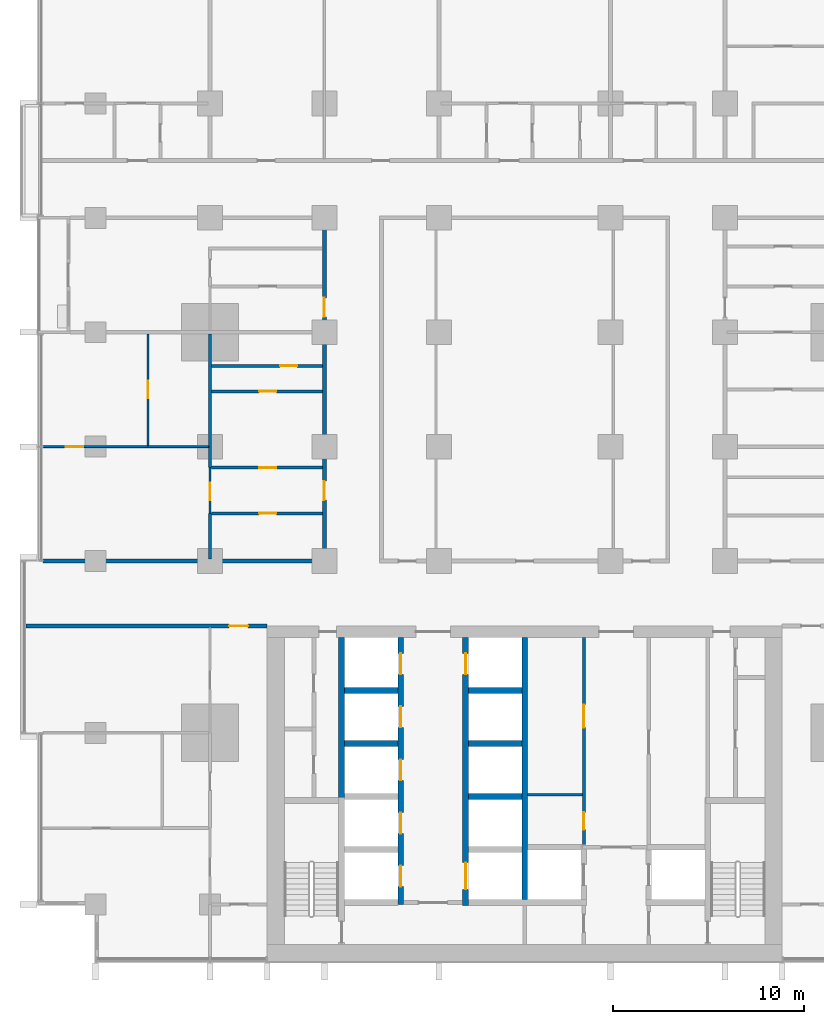
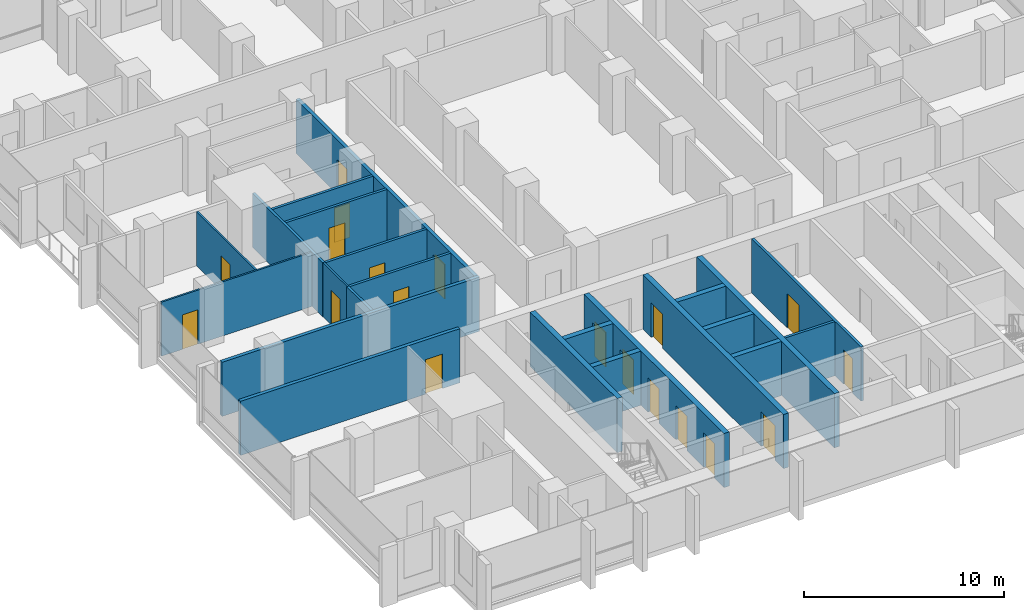
# One storey, part 8 of 18: 23 walls, 19 doors, 19 openings.
"""IFC4 building model written with IfcOpenShell, lengths in metres."""

from ifc_helpers import new_model, si_unit, direction, frame, frame_2d, origin, place, context, subcontext, project, spatial, rectangle, extrude, material, layer, layer_set, type_object, element, fill, save


model = new_model("IFC4")

# Units and contexts
model_context = context("Model", 3, precision=1e-05, world=origin(), true_north=direction((0.0, 1.0)))
body_context = subcontext(model_context, "Body", "Model", "MODEL_VIEW")
ifc_project = project(units=[si_unit("LENGTHUNIT", "METRE"), si_unit("AREAUNIT", "SQUARE_METRE"), si_unit("VOLUMEUNIT", "CUBIC_METRE"), si_unit("PLANEANGLEUNIT", "RADIAN"), si_unit("MASSUNIT", "GRAM", prefix="KILO")], contexts=[model_context])

# Site, building, storey
site_placement = place(None, origin())
site = spatial("IfcSite", under=ifc_project, at=site_placement, CompositionType="ELEMENT")
building_placement = place(site_placement, origin())
building = spatial("IfcBuilding", under=site, at=building_placement, Name="Finial Court Residences", CompositionType="ELEMENT")
storey_placement = place(building_placement, frame((0.0, 0.0, 39.699951171875)))
storey = spatial("IfcBuildingStorey", under=building, at=storey_placement, Name="L08", CompositionType="ELEMENT", Elevation=39.699951171875)

# Wall
ifc_material_1 = material(Name="Fire-rated gypsum board partition")
ifc_layer_1 = layer(ifc_material_1, 0.14990234375)
ifc_layer_set_1 = layer_set([ifc_layer_1], Name="Core room partition 150 EI 60")
wall_type_1 = type_object("IfcWallType", Name="Core room partition 150 EI 60", PredefinedType="PARTITIONING", material=ifc_layer_set_1)
wall_1_placement = place(storey_placement, frame((0.14990234375, -16.75, 0.0), z_axis=(0.0, 0.0, 1.0), x_axis=(1.0, 0.0, 0.0)))
element("IfcWall", 1, at=wall_1_placement, inside=storey, type_object=wall_type_1, Name="Core partition L08-14", PredefinedType="PARTITIONING", context=body_context, shape_type="SweptSolid", body=[
    extrude(rectangle(XDim=2.875, YDim=0.14990234375, at=frame_2d((1.4375, 0.0))), origin(), (0.0, 0.0, 1.0), 3.300048828125),
])

# Wall, openings, doors
wall_2_placement = place(storey_placement, frame((3.10009765625, -19.39990234375, 0.0), z_axis=(0.0, 0.0, 1.0), x_axis=(0.0, 1.0, 0.0)))
wall_2 = element("IfcWall", 2, at=wall_2_placement, inside=storey, type_object=wall_type_1, Name="Core partition L08-31", PredefinedType="PARTITIONING", context=body_context, shape_type="SweptSolid", body=[
    extrude(rectangle(XDim=10.89990234375, YDim=0.14990234375, at=frame_2d((5.449951171875, 0.0))), origin(), (0.0, 0.0, 1.0), 3.300048828125),
])
opening_1_placement = place(wall_2_placement, frame((0.824951171875, 0.0, 0.0)))
opening_1 = element("IfcOpeningElement", 3, at=opening_1_placement, cuts=wall_2, Name="Opening L08-C14", PredefinedType="OPENING", context=body_context, shape_type="SweptSolid", body=[
    extrude(rectangle(XDim=0.89990234375, YDim=2.10009765625, at=frame_2d((0.449951171875, 1.050048828125))), frame((0.0, 0.0849609375, 0.0), z_axis=(0.0, -1.0, 0.0), x_axis=(1.0, 0.0, 0.0)), (0.0, 0.0, 1.0), 0.169921875),
])
opening_2_placement = place(wall_2_placement, frame((6.175048828125, 0.0, 0.0)))
opening_2 = element("IfcOpeningElement", 4, at=opening_2_placement, cuts=wall_2, Name="Opening L08-C15", PredefinedType="OPENING", context=body_context, shape_type="SweptSolid", body=[
    extrude(rectangle(XDim=1.199951171875, YDim=2.10009765625, at=frame_2d((0.60009765625, 1.050048828125))), frame((0.0, 0.0849609375, 0.0), z_axis=(0.0, -1.0, 0.0), x_axis=(1.0, 0.0, 0.0)), (0.0, 0.0, 1.0), 0.169921875),
])
ifc_material_2 = material(Name="Steel fire door", Category="steel")
door_type_1 = type_object("IfcDoorType", Name="Core room door 1200 x 2100 EI 60", OperationType="NOTDEFINED", PredefinedType="DOOR", material=ifc_material_2)
door_1_placement = place(opening_2_placement, origin())
door_1 = element("IfcDoor", 5, at=door_1_placement, inside=storey, type_object=door_type_1, Name="Core room door L08-C15", OperationType="SINGLE_SWING_LEFT", OverallHeight=2.10009765625, OverallWidth=1.199951171875, PredefinedType="DOOR", context=body_context, shape_type="SweptSolid", body=[
    extrude(rectangle(XDim=1.199951171875, YDim=2.10009765625, at=frame_2d((0.60009765625, 1.050048828125))), frame((0.0, 0.02490234375, 0.0), z_axis=(0.0, -1.0, 0.0), x_axis=(1.0, 0.0, 0.0)), (0.0, 0.0, 1.0), 0.050048828125),
])
fill(opening_2, door_1)
door_type_2 = type_object("IfcDoorType", Name="Core room door 900 x 2100 EI 60", OperationType="NOTDEFINED", PredefinedType="DOOR", material=ifc_material_2)
door_2_placement = place(opening_1_placement, origin())
door_2 = element("IfcDoor", 6, at=door_2_placement, inside=storey, type_object=door_type_2, Name="Core room door L08-C14", OperationType="SINGLE_SWING_LEFT", OverallHeight=2.10009765625, OverallWidth=0.89990234375, PredefinedType="DOOR", context=body_context, shape_type="SweptSolid", body=[
    extrude(rectangle(XDim=0.89990234375, YDim=2.10009765625, at=frame_2d((0.449951171875, 1.050048828125))), frame((0.0, 0.02490234375, 0.0), z_axis=(0.0, -1.0, 0.0), x_axis=(1.0, 0.0, 0.0)), (0.0, 0.0, 1.0), 0.050048828125),
])
fill(opening_1, door_2)

# Wall, opening, door
ifc_material_3 = material(Name="Gypsum board")
ifc_layer_2 = layer(ifc_material_3, 0.02490234375)
ifc_material_4 = material(Name="Acoustic mineral wool in double frame")
ifc_layer_3 = layer(ifc_material_4, 0.14990234375)
ifc_layer_4 = layer(ifc_material_3, 0.02490234375)
ifc_layer_set_2 = layer_set([ifc_layer_2, ifc_layer_3, ifc_layer_4], Name="Corridor wall 200, 1 hour")
wall_type_2 = type_object("IfcWallType", Name="Corridor wall 200, 1 hour", PredefinedType="PARTITIONING", material=ifc_layer_set_2)
wall_3_placement = place(storey_placement, frame((-26.14990234375, -7.89990234375, 0.0), z_axis=(0.0, 0.0, 1.0), x_axis=(1.0, 0.0, 0.0)))
wall_3 = element("IfcWall", 7, at=wall_3_placement, inside=storey, type_object=wall_type_2, Name="Partition L08-009", PredefinedType="PARTITIONING", context=body_context, shape_type="SweptSolid", body=[
    extrude(rectangle(XDim=12.64990234375, YDim=0.199951171875, at=frame_2d((6.324951171875, 0.0))), origin(), (0.0, 0.0, 1.0), 3.300048828125),
])
opening_3_placement = place(wall_3_placement, frame((10.64990234375, 0.0, 0.0)))
opening_3 = element("IfcOpeningElement", 8, at=opening_3_placement, cuts=wall_3, Name="Opening L08-D005", PredefinedType="OPENING", context=body_context, shape_type="SweptSolid", body=[
    extrude(rectangle(XDim=1.0, YDim=2.10009765625, at=frame_2d((0.5, 1.050048828125))), frame((0.0, 0.10986328125, 0.0), z_axis=(0.0, -1.0, 0.0), x_axis=(1.0, 0.0, 0.0)), (0.0, 0.0, 1.0), 0.219970703125),
])
ifc_material_5 = material(Name="Timber door leaf in hollow metal frame", Category="wood")
door_type_3 = type_object("IfcDoorType", Name="Fire door set 1000 x 2100, 30 minutes", OperationType="SINGLE_SWING_LEFT", PredefinedType="DOOR", material=ifc_material_5)
door_3_placement = place(opening_3_placement, origin())
door_3 = element("IfcDoor", 9, at=door_3_placement, inside=storey, type_object=door_type_3, Name="Door L08-D005", OperationType="SINGLE_SWING_RIGHT", OverallHeight=2.10009765625, OverallWidth=1.0, PredefinedType="DOOR", context=body_context, shape_type="SweptSolid", body=[
    extrude(rectangle(XDim=1.0, YDim=2.10009765625, at=frame_2d((0.5, 1.050048828125))), frame((0.0, 0.02490234375, 0.0), z_axis=(0.0, -1.0, 0.0), x_axis=(1.0, 0.0, 0.0)), (0.0, 0.0, 1.0), 0.050048828125),
])
fill(opening_3, door_3)

# Wall
wall_4_placement = place(storey_placement, frame((-25.25, -4.5, 0.0), z_axis=(0.0, 0.0, 1.0), x_axis=(1.0, 0.0, 0.0)))
element("IfcWall", 10, at=wall_4_placement, inside=storey, type_object=wall_type_2, Name="Partition L08-011", PredefinedType="PARTITIONING", context=body_context, shape_type="SweptSolid", body=[
    extrude(rectangle(XDim=14.85009765625, YDim=0.199951171875, at=frame_2d((7.425048828125, 0.0))), origin(), (0.0, 0.0, 1.0), 3.300048828125),
])

# Wall, openings, doors
wall_5_placement = place(storey_placement, frame((-10.5, -4.39990234375, 0.0), z_axis=(0.0, 0.0, 1.0), x_axis=(0.0, 1.0, 0.0)))
wall_5 = element("IfcWall", 11, at=wall_5_placement, inside=storey, type_object=wall_type_2, Name="Partition L08-061", PredefinedType="PARTITIONING", context=body_context, shape_type="SweptSolid", body=[
    extrude(rectangle(XDim=17.7998046875, YDim=0.199951171875, at=frame_2d((8.89990234375, 0.0))), origin(), (0.0, 0.0, 1.0), 3.300048828125),
])
opening_4_placement = place(wall_5_placement, frame((3.10009765625, 0.0, 0.0)))
opening_4 = element("IfcOpeningElement", 12, at=opening_4_placement, cuts=wall_5, Name="Opening L08-D042", PredefinedType="OPENING", context=body_context, shape_type="SweptSolid", body=[
    extrude(rectangle(XDim=1.0, YDim=2.10009765625, at=frame_2d((0.5, 1.050048828125))), frame((0.0, 0.10986328125, 0.0), z_axis=(0.0, -1.0, 0.0), x_axis=(1.0, 0.0, 0.0)), (0.0, 0.0, 1.0), 0.219970703125),
])
opening_5_placement = place(wall_5_placement, frame((12.699951171875, 0.0, 0.0)))
opening_5 = element("IfcOpeningElement", 13, at=opening_5_placement, cuts=wall_5, Name="Opening L08-D043", PredefinedType="OPENING", context=body_context, shape_type="SweptSolid", body=[
    extrude(rectangle(XDim=1.0, YDim=2.10009765625, at=frame_2d((0.5, 1.050048828125))), frame((0.0, 0.10986328125, 0.0), z_axis=(0.0, -1.0, 0.0), x_axis=(1.0, 0.0, 0.0)), (0.0, 0.0, 1.0), 0.219970703125),
])
door_4_placement = place(opening_4_placement, origin())
door_4 = element("IfcDoor", 14, at=door_4_placement, inside=storey, type_object=door_type_3, Name="Door L08-D042", OperationType="SINGLE_SWING_RIGHT", OverallHeight=2.10009765625, OverallWidth=1.0, PredefinedType="DOOR", context=body_context, shape_type="SweptSolid", body=[
    extrude(rectangle(XDim=1.0, YDim=2.10009765625, at=frame_2d((0.5, 1.050048828125))), frame((0.0, 0.02490234375, 0.0), z_axis=(0.0, -1.0, 0.0), x_axis=(1.0, 0.0, 0.0)), (0.0, 0.0, 1.0), 0.050048828125),
])
fill(opening_4, door_4)
door_5_placement = place(opening_5_placement, origin())
door_5 = element("IfcDoor", 15, at=door_5_placement, inside=storey, type_object=door_type_3, Name="Door L08-D043", OperationType="SINGLE_SWING_LEFT", OverallHeight=2.10009765625, OverallWidth=1.0, PredefinedType="DOOR", context=body_context, shape_type="SweptSolid", body=[
    extrude(rectangle(XDim=1.0, YDim=2.10009765625, at=frame_2d((0.5, 1.050048828125))), frame((0.0, 0.02490234375, 0.0), z_axis=(0.0, -1.0, 0.0), x_axis=(1.0, 0.0, 0.0)), (0.0, 0.0, 1.0), 0.050048828125),
])
fill(opening_5, door_5)

# Wall, opening, door
ifc_layer_5 = layer(ifc_material_3, 0.012451171875)
ifc_material_6 = material(Name="Mineral wool in light-gauge frame")
ifc_layer_6 = layer(ifc_material_6, 0.074951171875)
ifc_layer_7 = layer(ifc_material_3, 0.012451171875)
ifc_layer_set_3 = layer_set([ifc_layer_5, ifc_layer_6, ifc_layer_7], Name="Gypsum board partition 100")
wall_type_3 = type_object("IfcWallType", Name="Gypsum board partition 100", PredefinedType="PARTITIONING", material=ifc_layer_set_3)
wall_6_placement = place(storey_placement, frame((-25.25, 1.5, 0.0), z_axis=(0.0, 0.0, 1.0), x_axis=(1.0, 0.0, 0.0)))
wall_6 = element("IfcWall", 16, at=wall_6_placement, inside=storey, type_object=wall_type_3, Name="Partition L08-018", PredefinedType="PARTITIONING", context=body_context, shape_type="SweptSolid", body=[
    extrude(rectangle(XDim=8.675048828125, YDim=0.10009765625, at=frame_2d((4.33740234375, 0.0))), origin(), (0.0, 0.0, 1.0), 3.300048828125),
])
opening_6_placement = place(wall_6_placement, frame((1.199951171875, 0.0, 0.0)))
opening_6 = element("IfcOpeningElement", 17, at=opening_6_placement, cuts=wall_6, Name="Opening L08-D013", PredefinedType="OPENING", context=body_context, shape_type="SweptSolid", body=[
    extrude(rectangle(XDim=0.89990234375, YDim=2.10009765625, at=frame_2d((0.449951171875, 1.050048828125))), frame((0.0, 0.06005859375, 0.0), z_axis=(0.0, -1.0, 0.0), x_axis=(1.0, 0.0, 0.0)), (0.0, 0.0, 1.0), 0.1201171875),
])
ifc_material_7 = material(Name="Timber door leaf in timber frame", Category="wood")
door_type_4 = type_object("IfcDoorType", Name="Door set 900 x 2100", OperationType="SINGLE_SWING_LEFT", PredefinedType="DOOR", material=ifc_material_7)
door_6_placement = place(opening_6_placement, origin())
door_6 = element("IfcDoor", 18, at=door_6_placement, inside=storey, type_object=door_type_4, Name="Door L08-D013", OperationType="SINGLE_SWING_RIGHT", OverallHeight=2.10009765625, OverallWidth=0.89990234375, PredefinedType="DOOR", context=body_context, shape_type="SweptSolid", body=[
    extrude(rectangle(XDim=0.89990234375, YDim=2.10009765625, at=frame_2d((0.449951171875, 1.050048828125))), frame((0.0, 0.02490234375, 0.0), z_axis=(0.0, -1.0, 0.0), x_axis=(1.0, 0.0, 0.0)), (0.0, 0.0, 1.0), 0.050048828125),
])
fill(opening_6, door_6)

wall_7_placement = place(storey_placement, frame((-19.75, 1.550048828125, 0.0), z_axis=(0.0, 0.0, 1.0), x_axis=(0.0, 1.0, 0.0)))
wall_7 = element("IfcWall", 19, at=wall_7_placement, inside=storey, type_object=wall_type_3, Name="Partition L08-048", PredefinedType="PARTITIONING", context=body_context, shape_type="SweptSolid", body=[
    extrude(rectangle(XDim=5.849853515625, YDim=0.10009765625, at=frame_2d((2.9248046875, 0.0))), origin(), (0.0, 0.0, 1.0), 3.300048828125),
])
opening_7_placement = place(wall_7_placement, frame((2.5, 0.0, 0.0)))
opening_7 = element("IfcOpeningElement", 20, at=opening_7_placement, cuts=wall_7, Name="Opening L08-D035", PredefinedType="OPENING", context=body_context, shape_type="SweptSolid", body=[
    extrude(rectangle(XDim=0.89990234375, YDim=2.10009765625, at=frame_2d((0.449951171875, 1.050048828125))), frame((0.0, 0.06005859375, 0.0), z_axis=(0.0, -1.0, 0.0), x_axis=(1.0, 0.0, 0.0)), (0.0, 0.0, 1.0), 0.1201171875),
])
door_7_placement = place(opening_7_placement, origin())
door_7 = element("IfcDoor", 21, at=door_7_placement, inside=storey, type_object=door_type_4, Name="Door L08-D035", OperationType="SINGLE_SWING_LEFT", OverallHeight=2.10009765625, OverallWidth=0.89990234375, PredefinedType="DOOR", context=body_context, shape_type="SweptSolid", body=[
    extrude(rectangle(XDim=0.89990234375, YDim=2.10009765625, at=frame_2d((0.449951171875, 1.050048828125))), frame((0.0, 0.02490234375, 0.0), z_axis=(0.0, -1.0, 0.0), x_axis=(1.0, 0.0, 0.0)), (0.0, 0.0, 1.0), 0.050048828125),
])
fill(opening_7, door_7)

wall_8_placement = place(storey_placement, frame((-16.5, -2.0, 0.0), z_axis=(0.0, 0.0, 1.0), x_axis=(0.0, 1.0, 0.0)))
wall_8 = element("IfcWall", 22, at=wall_8_placement, inside=storey, type_object=wall_type_3, Name="Partition L08-054", PredefinedType="PARTITIONING", context=body_context, shape_type="SweptSolid", body=[
    extrude(rectangle(XDim=2.39990234375, YDim=0.10009765625, at=frame_2d((1.199951171875, 0.0))), origin(), (0.0, 0.0, 1.0), 3.300048828125),
])
opening_8_placement = place(wall_8_placement, frame((0.699951171875, 0.0, 0.0)))
opening_8 = element("IfcOpeningElement", 23, at=opening_8_placement, cuts=wall_8, Name="Opening L08-D039", PredefinedType="OPENING", context=body_context, shape_type="SweptSolid", body=[
    extrude(rectangle(XDim=0.89990234375, YDim=2.10009765625, at=frame_2d((0.449951171875, 1.050048828125))), frame((0.0, 0.06005859375, 0.0), z_axis=(0.0, -1.0, 0.0), x_axis=(1.0, 0.0, 0.0)), (0.0, 0.0, 1.0), 0.1201171875),
])
door_8_placement = place(opening_8_placement, origin())
door_8 = element("IfcDoor", 24, at=door_8_placement, inside=storey, type_object=door_type_4, Name="Door L08-D039", OperationType="SINGLE_SWING_LEFT", OverallHeight=2.10009765625, OverallWidth=0.89990234375, PredefinedType="DOOR", context=body_context, shape_type="SweptSolid", body=[
    extrude(rectangle(XDim=0.89990234375, YDim=2.10009765625, at=frame_2d((0.449951171875, 1.050048828125))), frame((0.0, 0.02490234375, 0.0), z_axis=(0.0, -1.0, 0.0), x_axis=(1.0, 0.0, 0.0)), (0.0, 0.0, 1.0), 0.050048828125),
])
fill(opening_8, door_8)

ifc_material_8 = material(Name="Moisture-resistant gypsum board")
ifc_layer_8 = layer(ifc_material_8, 0.012451171875)
ifc_layer_9 = layer(ifc_material_6, 0.125)
ifc_layer_10 = layer(ifc_material_8, 0.012451171875)
ifc_layer_set_4 = layer_set([ifc_layer_8, ifc_layer_9, ifc_layer_10], Name="Gypsum board wet-area partition 150")
wall_type_4 = type_object("IfcWallType", Name="Gypsum board wet-area partition 150", PredefinedType="PARTITIONING", material=ifc_layer_set_4)
wall_9_placement = place(storey_placement, frame((-16.425048828125, -2.0, 0.0), z_axis=(0.0, 0.0, 1.0), x_axis=(1.0, 0.0, 0.0)))
wall_9 = element("IfcWall", 25, at=wall_9_placement, inside=storey, type_object=wall_type_4, Name="Partition L08-015", PredefinedType="PARTITIONING", context=body_context, shape_type="SweptSolid", body=[
    extrude(rectangle(XDim=5.824951171875, YDim=0.14990234375, at=frame_2d((2.91259765625, 0.0))), origin(), (0.0, 0.0, 1.0), 3.300048828125),
])
opening_9_placement = place(wall_9_placement, frame((2.5, 0.0, 0.0)))
opening_9 = element("IfcOpeningElement", 26, at=opening_9_placement, cuts=wall_9, Name="Opening L08-D011", PredefinedType="OPENING", context=body_context, shape_type="SweptSolid", body=[
    extrude(rectangle(XDim=0.89990234375, YDim=2.10009765625, at=frame_2d((0.449951171875, 1.050048828125))), frame((0.0, 0.0849609375, 0.0), z_axis=(0.0, -1.0, 0.0), x_axis=(1.0, 0.0, 0.0)), (0.0, 0.0, 1.0), 0.169921875),
])
door_9_placement = place(opening_9_placement, origin())
door_9 = element("IfcDoor", 27, at=door_9_placement, inside=storey, type_object=door_type_4, Name="Door L08-D011", OperationType="SINGLE_SWING_RIGHT", OverallHeight=2.10009765625, OverallWidth=0.89990234375, PredefinedType="DOOR", context=body_context, shape_type="SweptSolid", body=[
    extrude(rectangle(XDim=0.89990234375, YDim=2.10009765625, at=frame_2d((0.449951171875, 1.050048828125))), frame((0.0, 0.02490234375, 0.0), z_axis=(0.0, -1.0, 0.0), x_axis=(1.0, 0.0, 0.0)), (0.0, 0.0, 1.0), 0.050048828125),
])
fill(opening_9, door_9)

wall_10_placement = place(storey_placement, frame((-16.425048828125, 0.39990234375, 0.0), z_axis=(0.0, 0.0, 1.0), x_axis=(1.0, 0.0, 0.0)))
wall_10 = element("IfcWall", 28, at=wall_10_placement, inside=storey, type_object=wall_type_4, Name="Partition L08-017", PredefinedType="PARTITIONING", context=body_context, shape_type="SweptSolid", body=[
    extrude(rectangle(XDim=5.824951171875, YDim=0.14990234375, at=frame_2d((2.91259765625, 0.0))), origin(), (0.0, 0.0, 1.0), 3.300048828125),
])
opening_10_placement = place(wall_10_placement, frame((2.5, 0.0, 0.0)))
opening_10 = element("IfcOpeningElement", 29, at=opening_10_placement, cuts=wall_10, Name="Opening L08-D012", PredefinedType="OPENING", context=body_context, shape_type="SweptSolid", body=[
    extrude(rectangle(XDim=0.89990234375, YDim=2.10009765625, at=frame_2d((0.449951171875, 1.050048828125))), frame((0.0, 0.0849609375, 0.0), z_axis=(0.0, -1.0, 0.0), x_axis=(1.0, 0.0, 0.0)), (0.0, 0.0, 1.0), 0.169921875),
])
door_10_placement = place(opening_10_placement, origin())
door_10 = element("IfcDoor", 30, at=door_10_placement, inside=storey, type_object=door_type_4, Name="Door L08-D012", OperationType="SINGLE_SWING_LEFT", OverallHeight=2.10009765625, OverallWidth=0.89990234375, PredefinedType="DOOR", context=body_context, shape_type="SweptSolid", body=[
    extrude(rectangle(XDim=0.89990234375, YDim=2.10009765625, at=frame_2d((0.449951171875, 1.050048828125))), frame((0.0, 0.02490234375, 0.0), z_axis=(0.0, -1.0, 0.0), x_axis=(1.0, 0.0, 0.0)), (0.0, 0.0, 1.0), 0.050048828125),
])
fill(opening_10, door_10)

wall_11_placement = place(storey_placement, frame((-16.425048828125, 4.39990234375, 0.0), z_axis=(0.0, 0.0, 1.0), x_axis=(1.0, 0.0, 0.0)))
wall_11 = element("IfcWall", 31, at=wall_11_placement, inside=storey, type_object=wall_type_4, Name="Partition L08-020", PredefinedType="PARTITIONING", context=body_context, shape_type="SweptSolid", body=[
    extrude(rectangle(XDim=5.824951171875, YDim=0.14990234375, at=frame_2d((2.91259765625, 0.0))), origin(), (0.0, 0.0, 1.0), 3.300048828125),
])
opening_11_placement = place(wall_11_placement, frame((2.5, 0.0, 0.0)))
opening_11 = element("IfcOpeningElement", 32, at=opening_11_placement, cuts=wall_11, Name="Opening L08-D014", PredefinedType="OPENING", context=body_context, shape_type="SweptSolid", body=[
    extrude(rectangle(XDim=0.89990234375, YDim=2.10009765625, at=frame_2d((0.449951171875, 1.050048828125))), frame((0.0, 0.0849609375, 0.0), z_axis=(0.0, -1.0, 0.0), x_axis=(1.0, 0.0, 0.0)), (0.0, 0.0, 1.0), 0.169921875),
])
door_11_placement = place(opening_11_placement, origin())
door_11 = element("IfcDoor", 33, at=door_11_placement, inside=storey, type_object=door_type_4, Name="Door L08-D014", OperationType="SINGLE_SWING_RIGHT", OverallHeight=2.10009765625, OverallWidth=0.89990234375, PredefinedType="DOOR", context=body_context, shape_type="SweptSolid", body=[
    extrude(rectangle(XDim=0.89990234375, YDim=2.10009765625, at=frame_2d((0.449951171875, 1.050048828125))), frame((0.0, 0.02490234375, 0.0), z_axis=(0.0, -1.0, 0.0), x_axis=(1.0, 0.0, 0.0)), (0.0, 0.0, 1.0), 0.050048828125),
])
fill(opening_11, door_11)

wall_12_placement = place(storey_placement, frame((-16.425048828125, 5.73291015625, 0.0), z_axis=(0.0, 0.0, 1.0), x_axis=(1.0, 0.0, 0.0)))
wall_12 = element("IfcWall", 34, at=wall_12_placement, inside=storey, type_object=wall_type_4, Name="Partition L08-023", PredefinedType="PARTITIONING", context=body_context, shape_type="SweptSolid", body=[
    extrude(rectangle(XDim=5.824951171875, YDim=0.14990234375, at=frame_2d((2.91259765625, 0.0))), origin(), (0.0, 0.0, 1.0), 3.300048828125),
])
opening_12_placement = place(wall_12_placement, frame((3.60009765625, 0.0, 0.0)))
opening_12 = element("IfcOpeningElement", 35, at=opening_12_placement, cuts=wall_12, Name="Opening L08-D016", PredefinedType="OPENING", context=body_context, shape_type="SweptSolid", body=[
    extrude(rectangle(XDim=0.89990234375, YDim=2.10009765625, at=frame_2d((0.449951171875, 1.050048828125))), frame((0.0, 0.0849609375, 0.0), z_axis=(0.0, -1.0, 0.0), x_axis=(1.0, 0.0, 0.0)), (0.0, 0.0, 1.0), 0.169921875),
])
door_12_placement = place(opening_12_placement, origin())
door_12 = element("IfcDoor", 36, at=door_12_placement, inside=storey, type_object=door_type_4, Name="Door L08-D016", OperationType="SINGLE_SWING_LEFT", OverallHeight=2.10009765625, OverallWidth=0.89990234375, PredefinedType="DOOR", context=body_context, shape_type="SweptSolid", body=[
    extrude(rectangle(XDim=0.89990234375, YDim=2.10009765625, at=frame_2d((0.449951171875, 1.050048828125))), frame((0.0, 0.02490234375, 0.0), z_axis=(0.0, -1.0, 0.0), x_axis=(1.0, 0.0, 0.0)), (0.0, 0.0, 1.0), 0.050048828125),
])
fill(opening_12, door_12)

# Walls
wall_13_placement = place(storey_placement, frame((-16.5, -4.39990234375, 0.0), z_axis=(0.0, 0.0, 1.0), x_axis=(0.0, 1.0, 0.0)))
element("IfcWall", 37, at=wall_13_placement, inside=storey, type_object=wall_type_4, Name="Partition L08-058", PredefinedType="PARTITIONING", context=body_context, shape_type="SweptSolid", body=[
    extrude(rectangle(XDim=2.39990234375, YDim=0.14990234375, at=frame_2d((1.199951171875, 0.0))), origin(), (0.0, 0.0, 1.0), 3.300048828125),
])
wall_14_placement = place(storey_placement, frame((-16.5, 0.39990234375, 0.0), z_axis=(0.0, 0.0, 1.0), x_axis=(0.0, 1.0, 0.0)))
element("IfcWall", 38, at=wall_14_placement, inside=storey, type_object=wall_type_4, Name="Partition L08-059", PredefinedType="PARTITIONING", context=body_context, shape_type="SweptSolid", body=[
    extrude(rectangle(XDim=7.0, YDim=0.14990234375, at=frame_2d((3.5, 0.0))), origin(), (0.0, 0.0, 1.0), 3.300048828125),
])
ifc_material_9 = material(Name="Concrete C80/95", Category="concrete")
ifc_layer_11 = layer(ifc_material_9, 0.300048828125)
ifc_layer_set_5 = layer_set([ifc_layer_11], Name="Lift shaft and stair wall 300 Concrete C80/95")
wall_type_5 = type_object("IfcWallType", Name="Lift shaft and stair wall 300 Concrete C80/95", PredefinedType="SHEAR", material=ifc_layer_set_5)
for number, where, z_axis, x_axis, name in (
    (39, (-2.949951171875, -16.840087890625, 0.0), (0.0, 0.0, 1.0), (1.0, 0.0, 0.0), "Core wall L08-13"),
    (40, (-9.449951171875, -14.06005859375, 0.0), (0.0, 0.0, 1.0), (1.0, 0.0, 0.0), "Core wall L08-15"),
    (41, (-2.949951171875, -14.06005859375, 0.0), (0.0, 0.0, 1.0), (1.0, 0.0, 0.0), "Core wall L08-16"),
    (42, (-9.449951171875, -11.280029296875, 0.0), (0.0, 0.0, 1.0), (1.0, 0.0, 0.0), "Core wall L08-18"),
    (43, (-2.949951171875, -11.280029296875, 0.0), (0.0, 0.0, 1.0), (1.0, 0.0, 0.0), "Core wall L08-19"),
):
    element("IfcWall", number, at=place(storey_placement, frame(where, z_axis=z_axis, x_axis=x_axis)), inside=storey, type_object=wall_type_5, Name=name, PredefinedType="SHEAR", context=body_context, shape_type="SweptSolid", body=[
        extrude(rectangle(XDim=2.800048828125, YDim=0.300048828125, at=frame_2d((1.39990234375, 0.0))), origin(), (0.0, 0.0, 1.0), 3.300048828125),
    ])
wall_15_placement = place(storey_placement, frame((-9.60009765625, -17.199951171875, 0.0), z_axis=(0.0, 0.0, 1.0), x_axis=(0.0, 1.0, 0.0)))
element("IfcWall", 44, at=wall_15_placement, inside=storey, type_object=wall_type_5, Name="Core wall L08-24", PredefinedType="SHEAR", context=body_context, shape_type="SweptSolid", body=[
    extrude(rectangle(XDim=8.699951171875, YDim=0.300048828125, at=frame_2d((4.35009765625, 0.0))), origin(), (0.0, 0.0, 1.0), 3.300048828125),
])

# Wall, openings, doors
wall_16_placement = place(storey_placement, frame((-6.5, -22.5, 0.0), z_axis=(0.0, 0.0, 1.0), x_axis=(0.0, 1.0, 0.0)))
wall_16 = element("IfcWall", 45, at=wall_16_placement, inside=storey, type_object=wall_type_5, Name="Core wall L08-25", PredefinedType="SHEAR", context=body_context, shape_type="SweptSolid", body=[
    extrude(rectangle(XDim=14.0, YDim=0.300048828125, at=frame_2d((7.0, 0.0))), origin(), (0.0, 0.0, 1.0), 3.300048828125),
])
opening_13_placement = place(wall_16_placement, frame((0.93994140625, 0.0, 0.0)))
opening_13 = element("IfcOpeningElement", 46, at=opening_13_placement, cuts=wall_16, Name="Opening L08-LD03", PredefinedType="OPENING", context=body_context, shape_type="SweptSolid", body=[
    extrude(rectangle(XDim=1.10009765625, YDim=2.10009765625, at=frame_2d((0.550048828125, 1.050048828125))), frame((0.0, 0.159912109375, 0.0), z_axis=(0.0, -1.0, 0.0), x_axis=(1.0, 0.0, 0.0)), (0.0, 0.0, 1.0), 0.320068359375),
])
opening_14_placement = place(wall_16_placement, frame((3.719970703125, 0.0, 0.0)))
opening_14 = element("IfcOpeningElement", 47, at=opening_14_placement, cuts=wall_16, Name="Opening L08-LD04", PredefinedType="OPENING", context=body_context, shape_type="SweptSolid", body=[
    extrude(rectangle(XDim=1.10009765625, YDim=2.10009765625, at=frame_2d((0.550048828125, 1.050048828125))), frame((0.0, 0.159912109375, 0.0), z_axis=(0.0, -1.0, 0.0), x_axis=(1.0, 0.0, 0.0)), (0.0, 0.0, 1.0), 0.320068359375),
])
opening_15_placement = place(wall_16_placement, frame((6.5, 0.0, 0.0)))
opening_15 = element("IfcOpeningElement", 48, at=opening_15_placement, cuts=wall_16, Name="Opening L08-LD05", PredefinedType="OPENING", context=body_context, shape_type="SweptSolid", body=[
    extrude(rectangle(XDim=1.10009765625, YDim=2.10009765625, at=frame_2d((0.550048828125, 1.050048828125))), frame((0.0, 0.159912109375, 0.0), z_axis=(0.0, -1.0, 0.0), x_axis=(1.0, 0.0, 0.0)), (0.0, 0.0, 1.0), 0.320068359375),
])
opening_16_placement = place(wall_16_placement, frame((9.280029296875, 0.0, 0.0)))
opening_16 = element("IfcOpeningElement", 49, at=opening_16_placement, cuts=wall_16, Name="Opening L08-LD06", PredefinedType="OPENING", context=body_context, shape_type="SweptSolid", body=[
    extrude(rectangle(XDim=1.10009765625, YDim=2.10009765625, at=frame_2d((0.550048828125, 1.050048828125))), frame((0.0, 0.159912109375, 0.0), z_axis=(0.0, -1.0, 0.0), x_axis=(1.0, 0.0, 0.0)), (0.0, 0.0, 1.0), 0.320068359375),
])
opening_17_placement = place(wall_16_placement, frame((12.06005859375, 0.0, 0.0)))
opening_17 = element("IfcOpeningElement", 50, at=opening_17_placement, cuts=wall_16, Name="Opening L08-LD07", PredefinedType="OPENING", context=body_context, shape_type="SweptSolid", body=[
    extrude(rectangle(XDim=1.10009765625, YDim=2.10009765625, at=frame_2d((0.550048828125, 1.050048828125))), frame((0.0, 0.159912109375, 0.0), z_axis=(0.0, -1.0, 0.0), x_axis=(1.0, 0.0, 0.0)), (0.0, 0.0, 1.0), 0.320068359375),
])
ifc_material_10 = material(Name="Stainless steel lift door", Category="steel")
door_type_5 = type_object("IfcDoorType", Name="Lift landing door 1100 x 2100 EI 90", OperationType="DOUBLE_DOOR_SLIDING", PredefinedType="DOOR", material=ifc_material_10)
door_13_placement = place(opening_13_placement, origin())
door_13 = element("IfcDoor", 51, at=door_13_placement, inside=storey, type_object=door_type_5, Name="Lift landing door LR1 L08", OperationType="DOUBLE_DOOR_SLIDING", OverallHeight=2.10009765625, OverallWidth=1.10009765625, PredefinedType="DOOR", context=body_context, shape_type="SweptSolid", body=[
    extrude(rectangle(XDim=1.10009765625, YDim=2.10009765625, at=frame_2d((0.550048828125, 1.050048828125))), frame((0.0, 0.02490234375, 0.0), z_axis=(0.0, -1.0, 0.0), x_axis=(1.0, 0.0, 0.0)), (0.0, 0.0, 1.0), 0.050048828125),
])
fill(opening_13, door_13)
door_14_placement = place(opening_14_placement, origin())
door_14 = element("IfcDoor", 52, at=door_14_placement, inside=storey, type_object=door_type_5, Name="Lift landing door LR2 L08", OperationType="DOUBLE_DOOR_SLIDING", OverallHeight=2.10009765625, OverallWidth=1.10009765625, PredefinedType="DOOR", context=body_context, shape_type="SweptSolid", body=[
    extrude(rectangle(XDim=1.10009765625, YDim=2.10009765625, at=frame_2d((0.550048828125, 1.050048828125))), frame((0.0, 0.02490234375, 0.0), z_axis=(0.0, -1.0, 0.0), x_axis=(1.0, 0.0, 0.0)), (0.0, 0.0, 1.0), 0.050048828125),
])
fill(opening_14, door_14)
door_15_placement = place(opening_15_placement, origin())
door_15 = element("IfcDoor", 53, at=door_15_placement, inside=storey, type_object=door_type_5, Name="Lift landing door LR3 L08", OperationType="DOUBLE_DOOR_SLIDING", OverallHeight=2.10009765625, OverallWidth=1.10009765625, PredefinedType="DOOR", context=body_context, shape_type="SweptSolid", body=[
    extrude(rectangle(XDim=1.10009765625, YDim=2.10009765625, at=frame_2d((0.550048828125, 1.050048828125))), frame((0.0, 0.02490234375, 0.0), z_axis=(0.0, -1.0, 0.0), x_axis=(1.0, 0.0, 0.0)), (0.0, 0.0, 1.0), 0.050048828125),
])
fill(opening_15, door_15)
door_16_placement = place(opening_16_placement, origin())
door_16 = element("IfcDoor", 54, at=door_16_placement, inside=storey, type_object=door_type_5, Name="Lift landing door LR4 L08", OperationType="DOUBLE_DOOR_SLIDING", OverallHeight=2.10009765625, OverallWidth=1.10009765625, PredefinedType="DOOR", context=body_context, shape_type="SweptSolid", body=[
    extrude(rectangle(XDim=1.10009765625, YDim=2.10009765625, at=frame_2d((0.550048828125, 1.050048828125))), frame((0.0, 0.02490234375, 0.0), z_axis=(0.0, -1.0, 0.0), x_axis=(1.0, 0.0, 0.0)), (0.0, 0.0, 1.0), 0.050048828125),
])
fill(opening_16, door_16)
door_17_placement = place(opening_17_placement, origin())
door_17 = element("IfcDoor", 55, at=door_17_placement, inside=storey, type_object=door_type_5, Name="Lift landing door LR5 L08", OperationType="DOUBLE_DOOR_SLIDING", OverallHeight=2.10009765625, OverallWidth=1.10009765625, PredefinedType="DOOR", context=body_context, shape_type="SweptSolid", body=[
    extrude(rectangle(XDim=1.10009765625, YDim=2.10009765625, at=frame_2d((0.550048828125, 1.050048828125))), frame((0.0, 0.02490234375, 0.0), z_axis=(0.0, -1.0, 0.0), x_axis=(1.0, 0.0, 0.0)), (0.0, 0.0, 1.0), 0.050048828125),
])
fill(opening_17, door_17)

wall_17_placement = place(storey_placement, frame((-3.10009765625, -22.550048828125, 0.0), z_axis=(0.0, 0.0, 1.0), x_axis=(0.0, 1.0, 0.0)))
wall_17 = element("IfcWall", 56, at=wall_17_placement, inside=storey, type_object=wall_type_5, Name="Core wall L08-26", PredefinedType="SHEAR", context=body_context, shape_type="SweptSolid", body=[
    extrude(rectangle(XDim=14.050048828125, YDim=0.300048828125, at=frame_2d((7.02490234375, 0.0))), origin(), (0.0, 0.0, 1.0), 3.300048828125),
])
opening_18_placement = place(wall_17_placement, frame((12.110107421875, 0.0, 0.0)))
opening_18 = element("IfcOpeningElement", 57, at=opening_18_placement, cuts=wall_17, Name="Opening L08-LD08", PredefinedType="OPENING", context=body_context, shape_type="SweptSolid", body=[
    extrude(rectangle(XDim=1.10009765625, YDim=2.10009765625, at=frame_2d((0.550048828125, 1.050048828125))), frame((0.0, 0.159912109375, 0.0), z_axis=(0.0, -1.0, 0.0), x_axis=(1.0, 0.0, 0.0)), (0.0, 0.0, 1.0), 0.320068359375),
])
opening_19_placement = place(wall_17_placement, frame((0.840087890625, 0.0, 0.0)))
opening_19 = element("IfcOpeningElement", 58, at=opening_19_placement, cuts=wall_17, Name="Opening L08-LD09", PredefinedType="OPENING", context=body_context, shape_type="SweptSolid", body=[
    extrude(rectangle(XDim=1.39990234375, YDim=2.10009765625, at=frame_2d((0.699951171875, 1.050048828125))), frame((0.0, 0.159912109375, 0.0), z_axis=(0.0, -1.0, 0.0), x_axis=(1.0, 0.0, 0.0)), (0.0, 0.0, 1.0), 0.320068359375),
])
door_18_placement = place(opening_18_placement, origin())
door_18 = element("IfcDoor", 59, at=door_18_placement, inside=storey, type_object=door_type_5, Name="Lift landing door LR6 L08", OperationType="DOUBLE_DOOR_SLIDING", OverallHeight=2.10009765625, OverallWidth=1.10009765625, PredefinedType="DOOR", context=body_context, shape_type="SweptSolid", body=[
    extrude(rectangle(XDim=1.10009765625, YDim=2.10009765625, at=frame_2d((0.550048828125, 1.050048828125))), frame((0.0, 0.02490234375, 0.0), z_axis=(0.0, -1.0, 0.0), x_axis=(1.0, 0.0, 0.0)), (0.0, 0.0, 1.0), 0.050048828125),
])
fill(opening_18, door_18)
door_type_6 = type_object("IfcDoorType", Name="Lift landing door 1400 x 2100 EI 90", OperationType="DOUBLE_DOOR_SLIDING", PredefinedType="DOOR", material=ifc_material_10)
door_19_placement = place(opening_19_placement, origin())
door_19 = element("IfcDoor", 60, at=door_19_placement, inside=storey, type_object=door_type_6, Name="Lift landing door SV1 L08", OperationType="DOUBLE_DOOR_SLIDING", OverallHeight=2.10009765625, OverallWidth=1.39990234375, PredefinedType="DOOR", context=body_context, shape_type="SweptSolid", body=[
    extrude(rectangle(XDim=1.39990234375, YDim=2.10009765625, at=frame_2d((0.699951171875, 1.050048828125))), frame((0.0, 0.02490234375, 0.0), z_axis=(0.0, -1.0, 0.0), x_axis=(1.0, 0.0, 0.0)), (0.0, 0.0, 1.0), 0.050048828125),
])
fill(opening_19, door_19)

# Wall
wall_18_placement = place(storey_placement, frame((0.0, -22.25, 0.0), z_axis=(0.0, 0.0, 1.0), x_axis=(0.0, 1.0, 0.0)))
element("IfcWall", 61, at=wall_18_placement, inside=storey, type_object=wall_type_5, Name="Core wall L08-28", PredefinedType="SHEAR", context=body_context, shape_type="SweptSolid", body=[
    extrude(rectangle(XDim=13.75, YDim=0.300048828125, at=frame_2d((6.875, 0.0))), origin(), (0.0, 0.0, 1.0), 3.300048828125),
])

save(model, "model.ifc")
